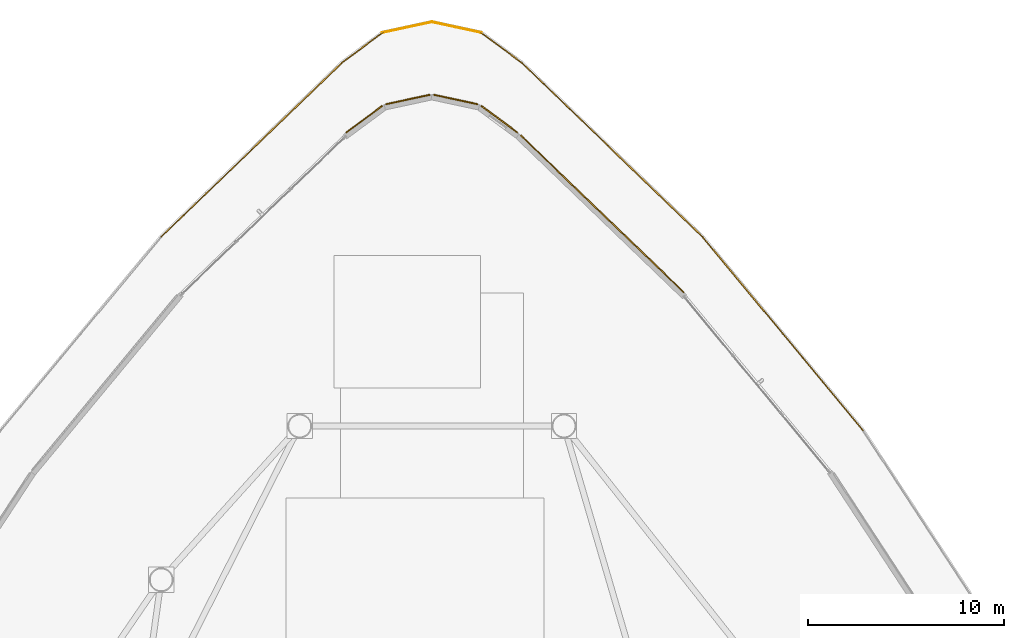
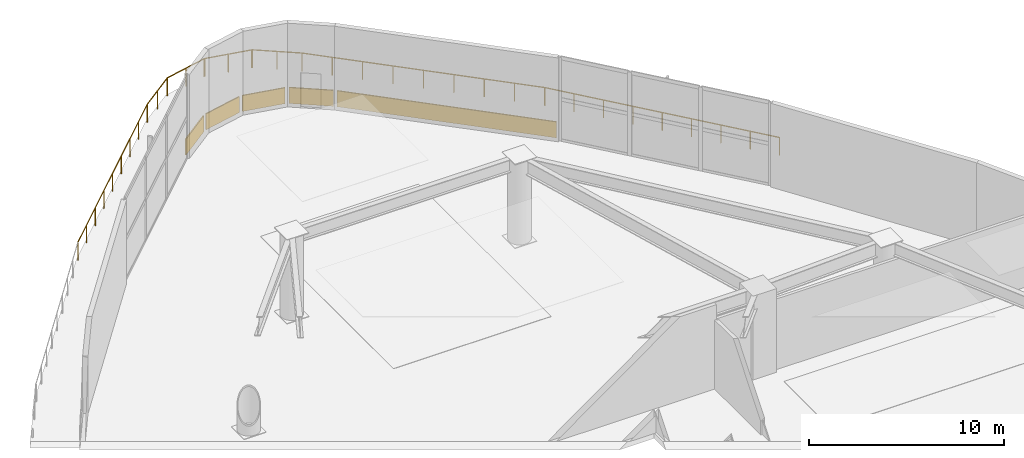
# One storey, part 26 of 26: 7 railings, 5 coverings.
"""IFC4 building model written with IfcOpenShell, lengths in metres."""

from ifc_helpers import new_model, si_unit, direction, frame, origin, origin_2d, place, context, subcontext, project, spatial, rectangle, extrude, material, layer, layer_set, type_object, element, save


model = new_model("IFC4")

# Units and contexts
model_context = context("Model", 3, precision=1e-05, world=origin(), true_north=direction((0.0, 1.0)))
body_context = subcontext(model_context, "Body", "Model", "MODEL_VIEW")
ifc_project = project(units=[si_unit("LENGTHUNIT", "METRE"), si_unit("AREAUNIT", "SQUARE_METRE"), si_unit("VOLUMEUNIT", "CUBIC_METRE"), si_unit("PLANEANGLEUNIT", "RADIAN"), si_unit("MASSUNIT", "GRAM", prefix="KILO")], contexts=[model_context])

# Site, building, storey
site_placement = place(None, origin())
site = spatial("IfcSite", under=ifc_project, at=site_placement, CompositionType="ELEMENT")
building_placement = place(site_placement, origin())
building = spatial("IfcBuilding", under=site, at=building_placement, Name="Tavelor Broadcast Tower", CompositionType="ELEMENT")
storey_placement = place(building_placement, frame((0.0, 0.0, 5.800048828125)))
storey = spatial("IfcBuildingStorey", under=building, at=storey_placement, Name="L01", CompositionType="ELEMENT", Elevation=5.800048828125)

# Railings
ifc_material_1 = material(Name="Steel S355", Category="steel")
railing_type = type_object("IfcRailingType", Name="Planted Terrace Laminated Glass Balustrade 1150 mm", PredefinedType="BALUSTRADE", material=ifc_material_1)
railing_1_placement = place(storey_placement, frame((54.59130859375, 91.319580078125, 0.0)))
element("IfcRailing", 1, at=railing_1_placement, inside=storey, type_object=railing_type, Name="L01 Cascading Garden Terrace 1 Balustrade #4", PredefinedType="BALUSTRADE", context=body_context, shape_type="SweptSolid", body=[
    extrude(rectangle(XDim=0.048095703125, YDim=0.048095703125, at=origin_2d()), frame((0.0, 0.0, 1.1259765625), z_axis=(-0.804345234538, 0.594162220001, 0.0), x_axis=(-0.594162220001, -0.804345234538, 0.0)), (0.0, 0.0, 1.0), 2.610107421875),
    extrude(rectangle(XDim=0.0419921875, YDim=0.0419921875, at=origin_2d()), origin(), (0.0, 0.0, 1.0), 1.101806640625),
    extrude(rectangle(XDim=0.0419921875, YDim=0.0419921875, at=origin_2d()), frame((-1.0498046875, 0.775390625, 0.0)), (0.0, 0.0, 1.0), 1.101806640625),
    extrude(rectangle(XDim=0.0419921875, YDim=0.0419921875, at=origin_2d()), frame((-2.099365234375, 1.55078125, 0.0)), (0.0, 0.0, 1.0), 1.101806640625),
])
railing_2_placement = place(storey_placement, frame((52.530517578125, 92.852783203125, 0.0)))
element("IfcRailing", 2, at=railing_2_placement, inside=storey, type_object=railing_type, Name="L01 Cascading Garden Terrace 1 Balustrade #5", PredefinedType="BALUSTRADE", context=body_context, shape_type="SweptSolid", body=[
    extrude(rectangle(XDim=0.048095703125, YDim=0.048095703125, at=origin_2d()), frame((0.0, 0.0, 1.1259765625), z_axis=(-0.977600735152, 0.21046805608, 0.0), x_axis=(-0.21046805608, -0.977600735152, 0.0)), (0.0, 0.0, 1.0), 2.60986328125),
    extrude(rectangle(XDim=0.0419921875, YDim=0.0419921875, at=origin_2d()), origin(), (0.0, 0.0, 1.0), 1.101806640625),
    extrude(rectangle(XDim=0.0419921875, YDim=0.0419921875, at=origin_2d()), frame((-1.27587890625, 0.274658203125, 0.0)), (0.0, 0.0, 1.0), 1.101806640625),
    extrude(rectangle(XDim=0.0419921875, YDim=0.0419921875, at=origin_2d()), frame((-2.551513671875, 0.54931640625, 0.0)), (0.0, 0.0, 1.0), 1.101806640625),
])
railing_3_placement = place(storey_placement, frame((50.02099609375, 93.402099609375, 0.0)))
element("IfcRailing", 3, at=railing_3_placement, inside=storey, type_object=railing_type, Name="L01 Cascading Garden Terrace 1 Balustrade #6", PredefinedType="BALUSTRADE", context=body_context, shape_type="SweptSolid", body=[
    extrude(rectangle(XDim=0.048095703125, YDim=0.048095703125, at=origin_2d()), frame((0.0, 0.0, 1.1259765625), z_axis=(-0.977600735152, -0.21046805608, 0.0), x_axis=(0.21046805608, -0.977600735152, 0.0)), (0.0, 0.0, 1.0), 2.60986328125),
    extrude(rectangle(XDim=0.0419921875, YDim=0.0419921875, at=origin_2d()), origin(), (0.0, 0.0, 1.0), 1.101806640625),
    extrude(rectangle(XDim=0.0419921875, YDim=0.0419921875, at=origin_2d()), frame((-1.27587890625, -0.274658203125, 0.0)), (0.0, 0.0, 1.0), 1.101806640625),
    extrude(rectangle(XDim=0.0419921875, YDim=0.0419921875, at=origin_2d()), frame((-2.551513671875, -0.54931640625, 0.0)), (0.0, 0.0, 1.0), 1.101806640625),
])
railing_4_placement = place(storey_placement, frame((47.508056640625, 92.870361328125, 0.0)))
element("IfcRailing", 4, at=railing_4_placement, inside=storey, type_object=railing_type, Name="L01 Cascading Garden Terrace 1 Balustrade #7", PredefinedType="BALUSTRADE", context=body_context, shape_type="SweptSolid", body=[
    extrude(rectangle(XDim=0.048095703125, YDim=0.048095703125, at=origin_2d()), frame((0.0, 0.0, 1.1259765625), z_axis=(-0.804345234538, -0.594162220001, 0.0), x_axis=(0.594162220001, -0.804345234538, 0.0)), (0.0, 0.0, 1.0), 2.610107421875),
    extrude(rectangle(XDim=0.0419921875, YDim=0.0419921875, at=origin_2d()), origin(), (0.0, 0.0, 1.0), 1.101806640625),
    extrude(rectangle(XDim=0.0419921875, YDim=0.0419921875, at=origin_2d()), frame((-1.0498046875, -0.775390625, 0.0)), (0.0, 0.0, 1.0), 1.101806640625),
    extrude(rectangle(XDim=0.0419921875, YDim=0.0419921875, at=origin_2d()), frame((-2.099365234375, -1.55078125, 0.0)), (0.0, 0.0, 1.0), 1.101806640625),
])
railing_5_placement = place(storey_placement, frame((45.418701171875, 91.328125, 0.0)))
element("IfcRailing", 5, at=railing_5_placement, inside=storey, type_object=railing_type, Name="L01 Cascading Garden Terrace 1 Balustrade #8", PredefinedType="BALUSTRADE", context=body_context, shape_type="SweptSolid", body=[
    extrude(rectangle(XDim=0.048095703125, YDim=0.048095703125, at=origin_2d()), frame((0.0, 0.0, 1.1259765625), z_axis=(-0.720313887096, -0.693648256724, 0.0), x_axis=(0.693648256724, -0.720313887096, 0.0)), (0.0, 0.0, 1.0), 12.8544921875),
    extrude(rectangle(XDim=0.0419921875, YDim=0.0419921875, at=origin_2d()), origin(), (0.0, 0.0, 1.0), 1.101806640625),
    extrude(rectangle(XDim=0.0419921875, YDim=0.0419921875, at=origin_2d()), frame((-1.157470703125, -1.114501953125, 0.0)), (0.0, 0.0, 1.0), 1.101806640625),
    extrude(rectangle(XDim=0.0419921875, YDim=0.0419921875, at=origin_2d()), frame((-2.31494140625, -2.22900390625, 0.0)), (0.0, 0.0, 1.0), 1.101806640625),
    extrude(rectangle(XDim=0.0419921875, YDim=0.0419921875, at=origin_2d()), frame((-3.47216796875, -3.34375, 0.0)), (0.0, 0.0, 1.0), 1.101806640625),
    extrude(rectangle(XDim=0.0419921875, YDim=0.0419921875, at=origin_2d()), frame((-4.629638671875, -4.458251953125, 0.0)), (0.0, 0.0, 1.0), 1.101806640625),
    extrude(rectangle(XDim=0.0419921875, YDim=0.0419921875, at=origin_2d()), frame((-5.787109375, -5.57275390625, 0.0)), (0.0, 0.0, 1.0), 1.101806640625),
    extrude(rectangle(XDim=0.0419921875, YDim=0.0419921875, at=origin_2d()), frame((-6.9443359375, -6.6875, 0.0)), (0.0, 0.0, 1.0), 1.101806640625),
    extrude(rectangle(XDim=0.0419921875, YDim=0.0419921875, at=origin_2d()), frame((-8.101806640625, -7.802001953125, 0.0)), (0.0, 0.0, 1.0), 1.101806640625),
    extrude(rectangle(XDim=0.0419921875, YDim=0.0419921875, at=origin_2d()), frame((-9.25927734375, -8.91650390625, 0.0)), (0.0, 0.0, 1.0), 1.101806640625),
])
railing_6_placement = place(storey_placement, frame((72.034912109375, 72.522216796875, 0.0)))
element("IfcRailing", 6, at=railing_6_placement, inside=storey, type_object=railing_type, Name="L01 Cascading Garden Terrace 1 Balustrade #32", PredefinedType="BALUSTRADE", context=body_context, shape_type="SweptSolid", body=[
    extrude(rectangle(XDim=0.048095703125, YDim=0.048095703125, at=origin_2d()), frame((0.0, 0.0, 1.1259765625), z_axis=(-0.638061622441, 0.769985302437, 0.0), x_axis=(-0.769985302437, -0.638061622441, 0.0)), (0.0, 0.0, 1.0), 12.8544921875),
    extrude(rectangle(XDim=0.0419921875, YDim=0.0419921875, at=origin_2d()), origin(), (0.0, 0.0, 1.0), 1.101806640625),
    extrude(rectangle(XDim=0.0419921875, YDim=0.0419921875, at=origin_2d()), frame((-1.025146484375, 1.2373046875, 0.0)), (0.0, 0.0, 1.0), 1.101806640625),
    extrude(rectangle(XDim=0.0419921875, YDim=0.0419921875, at=origin_2d()), frame((-2.050537109375, 2.474365234375, 0.0)), (0.0, 0.0, 1.0), 1.101806640625),
    extrude(rectangle(XDim=0.0419921875, YDim=0.0419921875, at=origin_2d()), frame((-3.07568359375, 3.711669921875, 0.0)), (0.0, 0.0, 1.0), 1.101806640625),
    extrude(rectangle(XDim=0.0419921875, YDim=0.0419921875, at=origin_2d()), frame((-4.10107421875, 4.94873046875, 0.0)), (0.0, 0.0, 1.0), 1.101806640625),
    extrude(rectangle(XDim=0.0419921875, YDim=0.0419921875, at=origin_2d()), frame((-5.126220703125, 6.18603515625, 0.0)), (0.0, 0.0, 1.0), 1.101806640625),
    extrude(rectangle(XDim=0.0419921875, YDim=0.0419921875, at=origin_2d()), frame((-6.1513671875, 7.42333984375, 0.0)), (0.0, 0.0, 1.0), 1.101806640625),
    extrude(rectangle(XDim=0.0419921875, YDim=0.0419921875, at=origin_2d()), frame((-7.1767578125, 8.660400390625, 0.0)), (0.0, 0.0, 1.0), 1.101806640625),
    extrude(rectangle(XDim=0.0419921875, YDim=0.0419921875, at=origin_2d()), frame((-8.201904296875, 9.897705078125, 0.0)), (0.0, 0.0, 1.0), 1.101806640625),
])
railing_7_placement = place(storey_placement, frame((63.840576171875, 82.41162109375, 0.0)))
element("IfcRailing", 7, at=railing_7_placement, inside=storey, type_object=railing_type, Name="L01 Cascading Garden Terrace 1 Balustrade #33", PredefinedType="BALUSTRADE", context=body_context, shape_type="SweptSolid", body=[
    extrude(rectangle(XDim=0.048095703125, YDim=0.048095703125, at=origin_2d()), frame((0.0, 0.0, 1.1259765625), z_axis=(-0.720313887096, 0.693648256724, 0.0), x_axis=(-0.693648256724, -0.720313887096, 0.0)), (0.0, 0.0, 1.0), 12.8544921875),
    extrude(rectangle(XDim=0.0419921875, YDim=0.0419921875, at=origin_2d()), origin(), (0.0, 0.0, 1.0), 1.101806640625),
    extrude(rectangle(XDim=0.0419921875, YDim=0.0419921875, at=origin_2d()), frame((-1.157470703125, 1.114501953125, 0.0)), (0.0, 0.0, 1.0), 1.101806640625),
    extrude(rectangle(XDim=0.0419921875, YDim=0.0419921875, at=origin_2d()), frame((-2.31494140625, 2.22900390625, 0.0)), (0.0, 0.0, 1.0), 1.101806640625),
    extrude(rectangle(XDim=0.0419921875, YDim=0.0419921875, at=origin_2d()), frame((-3.47216796875, 3.34375, 0.0)), (0.0, 0.0, 1.0), 1.101806640625),
    extrude(rectangle(XDim=0.0419921875, YDim=0.0419921875, at=origin_2d()), frame((-4.629638671875, 4.458251953125, 0.0)), (0.0, 0.0, 1.0), 1.101806640625),
    extrude(rectangle(XDim=0.0419921875, YDim=0.0419921875, at=origin_2d()), frame((-5.787109375, 5.57275390625, 0.0)), (0.0, 0.0, 1.0), 1.101806640625),
    extrude(rectangle(XDim=0.0419921875, YDim=0.0419921875, at=origin_2d()), frame((-6.9443359375, 6.6875, 0.0)), (0.0, 0.0, 1.0), 1.101806640625),
    extrude(rectangle(XDim=0.0419921875, YDim=0.0419921875, at=origin_2d()), frame((-8.101806640625, 7.802001953125, 0.0)), (0.0, 0.0, 1.0), 1.101806640625),
    extrude(rectangle(XDim=0.0419921875, YDim=0.0419921875, at=origin_2d()), frame((-9.25927734375, 8.91650390625, 0.0)), (0.0, 0.0, 1.0), 1.101806640625),
])

# Coverings
ifc_material_2 = material(Name="Kiln-Fired Glazed Terracotta", Category="masonry")
ifc_layer = layer(ifc_material_2, 0.06494140625)
ifc_layer_set = layer_set([ifc_layer], Name="Kiln-Fired Glazed Terracotta")
covering_type = type_object("IfcCoveringType", Name="Ribbed Terracotta Rainscreen Spandrel Cladding 65 mm", PredefinedType="CLADDING", material=ifc_layer_set)
for number, where, z_axis, x_axis, name in (
    (8, (53.455810546875, 88.4287109375, 0.050048828125), (0.0, 0.0, 1.0), (-0.80437563527, 0.594121062902, 0.0), "L01 Terracotta Spandrel Rainscreen 01"),
    (9, (51.22412109375, 89.436279296875, 0.050048828125), (0.0, 0.0, 1.0), (-0.977599937765, 0.210471759821, 0.0), "L01 Terracotta Spandrel Rainscreen 02"),
    (10, (48.77587890625, 89.436279296875, 0.050048828125), (0.0, 0.0, 1.0), (-0.977599937765, -0.210471759821, 0.0), "L01 Terracotta Spandrel Rainscreen 03"),
    (11, (46.544189453125, 88.4287109375, 0.050048828125), (0.0, 0.0, 1.0), (-0.80437563527, -0.594121062902, 0.0), "L01 Terracotta Spandrel Rainscreen 04"),
):
    element("IfcCovering", number, at=place(storey_placement, frame(where, z_axis=z_axis, x_axis=x_axis)), inside=storey, type_object=covering_type, Name=name, PredefinedType="CLADDING", context=body_context, shape_type="SweptSolid", body=[
        extrude(rectangle(XDim=2.3046875, YDim=0.06494140625, at=origin_2d()), origin(), (0.0, 0.0, 1.0), 1.0),
    ])
covering_placement = place(storey_placement, frame((58.710693359375, 83.594482421875, 0.050048828125), z_axis=(0.0, 0.0, 1.0), x_axis=(-0.720309024888, 0.693653305813, 0.0)))
element("IfcCovering", 12, at=covering_placement, inside=storey, type_object=covering_type, Name="L01 Terracotta Spandrel Rainscreen 30", PredefinedType="CLADDING", context=body_context, shape_type="SweptSolid", body=[
    extrude(rectangle(XDim=11.59375, YDim=0.06494140625, at=origin_2d()), origin(), (0.0, 0.0, 1.0), 1.0),
])

save(model, "model.ifc")
